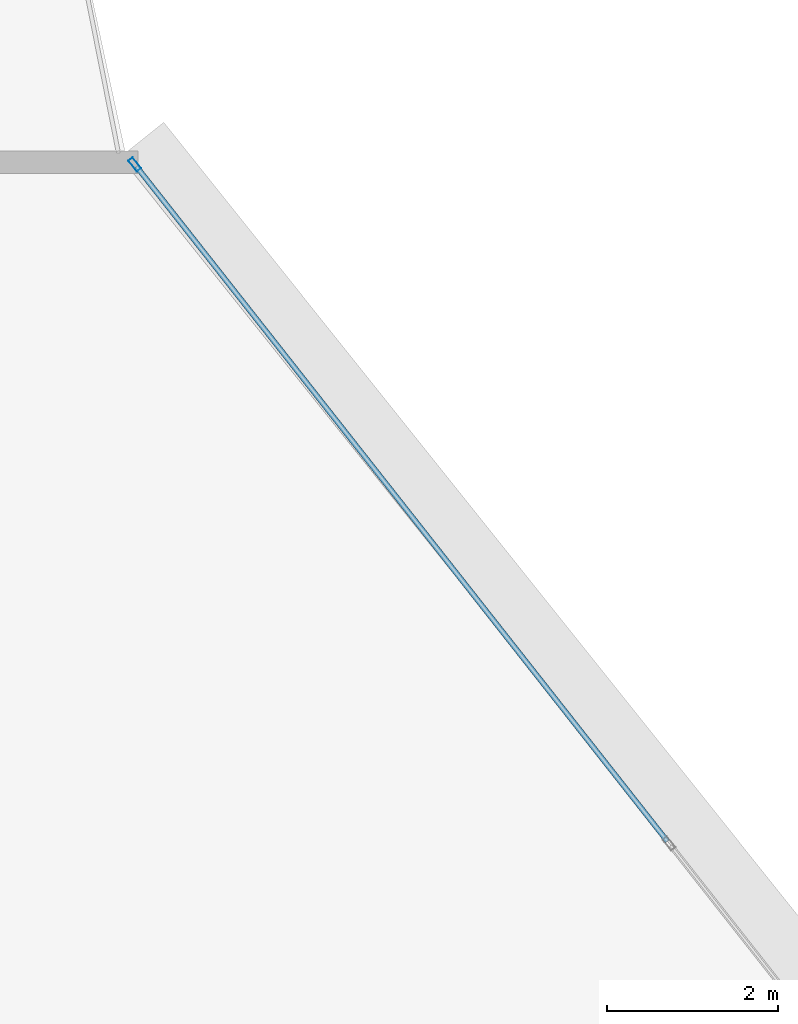
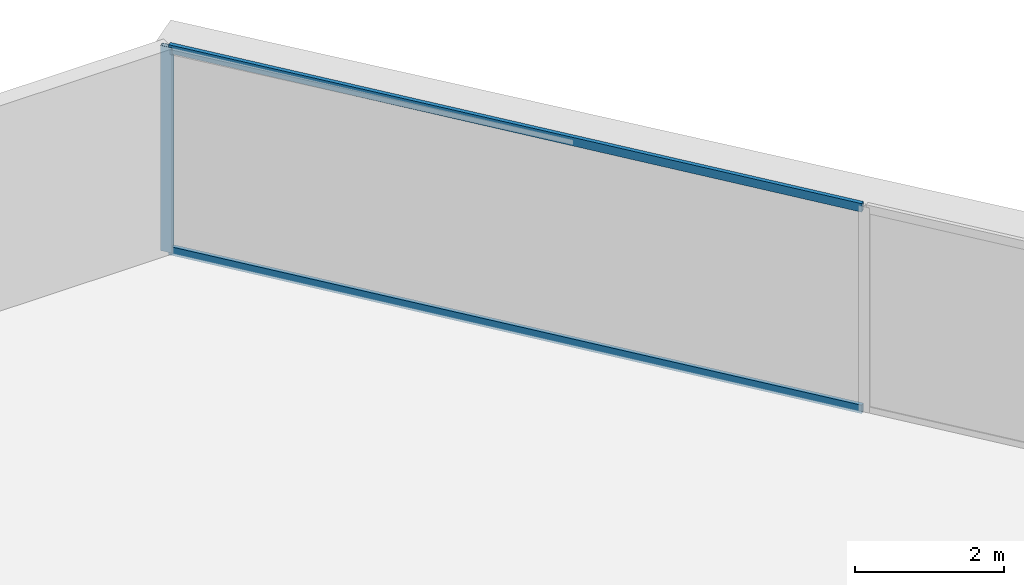
# One storey, part 29 of 42: 3 members, 1 element without a shape of its own.
"""IFC4 building model written with IfcOpenShell, lengths in metres."""

from ifc_helpers import new_model, si_unit, direction, frame, origin, origin_2d, place, context, subcontext, project, spatial, hollow_rectangle, extrude, source, transform, mapped, material, layer, layer_set, material_profile, profile_set, type_object, element, aggregate, save


model = new_model("IFC4")

# Units and contexts
model_context = context("Model", 3, precision=1e-05, world=origin(), true_north=direction((0.0, 1.0)))
body_context = subcontext(model_context, "Body", "Model", "MODEL_VIEW")
ifc_project = project(units=[si_unit("LENGTHUNIT", "METRE"), si_unit("AREAUNIT", "SQUARE_METRE"), si_unit("VOLUMEUNIT", "CUBIC_METRE"), si_unit("PLANEANGLEUNIT", "RADIAN"), si_unit("MASSUNIT", "GRAM", prefix="KILO"), si_unit("THERMODYNAMICTEMPERATUREUNIT", "KELVIN"), si_unit("POWERUNIT", "WATT")], contexts=[model_context])

# Site, building, storey
site_placement = place(None, origin())
site = spatial("IfcSite", under=ifc_project, at=site_placement, CompositionType="ELEMENT")
building_placement = place(site_placement, origin())
building = spatial("IfcBuilding", under=site, at=building_placement, Name="Yunzhuo Pagoda Commons", CompositionType="ELEMENT")
storey_placement = place(building_placement, frame((0.0, 0.0, 48.550048828125)))
storey = spatial("IfcBuildingStorey", under=building, at=storey_placement, Name="L12", CompositionType="ELEMENT", Elevation=48.550048828125)

# Curtain wall, members
ifc_material = material(Name="Anodized aluminium 6063-T6", Category="aluminium")
ifc_layer = layer(ifc_material, 0.1650390625)
ifc_layer_set = layer_set([ifc_layer], Name="Anodized aluminium 6063-T6")
curtain_wall_type = type_object("IfcCurtainWallType", Name="CW-LOW Low-Zone Ribbon Curtain Wall", PredefinedType="NOTDEFINED", material=ifc_layer_set)
curtain_wall_placement = place(storey_placement, origin())
curtain_wall = element("IfcCurtainWall", 1, at=curtain_wall_placement, inside=storey, type_object=curtain_wall_type, Name="L12 curtain wall CW-L12-F2B5", PredefinedType="NOTDEFINED")
ifc_material_profile_1 = material_profile(ifc_material, hollow_rectangle(XDim=0.06494140625, YDim=0.1650390625, WallThickness=0.00390625, at=origin_2d()), Name="Anodized aluminium 6063-T6")
ifc_profile_set_1 = profile_set([ifc_material_profile_1], Name="Anodized aluminium 6063-T6")
member_type_1 = type_object("IfcMemberType", Name="CW-LOW-M Mullion RHS 165x65x4", PredefinedType="MULLION", material=ifc_profile_set_1)
shared_shape_1 = source(origin(), body_context, "Body", "SweptSolid", [
    extrude(hollow_rectangle(XDim=0.06494140625, YDim=0.1650390625, WallThickness=0.00390625, at=origin_2d()), origin(), (0.0, 0.0, 1.0), 3.369873046875),
])
member_1_placement = place(storey_placement, frame((52.73828125, 88.5400390625, 0.0), z_axis=(0.0, 0.0, 1.0), x_axis=(-0.785883026265, -0.61837518468, 0.0)))
member_1 = element("IfcMember", 2, at=member_1_placement, type_object=member_type_1, Name="CW mullion 3", PredefinedType="MULLION", context=body_context, shape_type="MappedRepresentation", body=[
    mapped(shared_shape_1, transform((0.0, 0.0, 0.0), scale=1.0)),
])
ifc_material_profile_2 = material_profile(ifc_material, hollow_rectangle(XDim=0.06005859375, YDim=0.139892578125, WallThickness=0.00341796875, at=origin_2d()), Name="Anodized aluminium 6063-T6")
ifc_profile_set_2 = profile_set([ifc_material_profile_2], Name="Anodized aluminium 6063-T6")
member_type_2 = type_object("IfcMemberType", Name="CW-LOW-T Transom RHS 140x60x3.5", PredefinedType="USERDEFINED", material=ifc_profile_set_2)
shared_shape_2 = source(origin(), body_context, "Body", "SweptSolid", [
    extrude(hollow_rectangle(XDim=0.06005859375, YDim=0.139892578125, WallThickness=0.00341796875, at=origin_2d()), origin(), (0.0, 0.0, 1.0), 10.04248046875),
])
member_2_placement = place(storey_placement, frame((58.968505859375, 80.6220703125, 0.030029296875), z_axis=(-0.618365747767, 0.785890451646, 0.0), x_axis=(-0.785890451646, -0.618365747767, 0.0)))
member_2 = element("IfcMember", 3, at=member_2_placement, type_object=member_type_2, Name="CW transom 2.1", ObjectType="TRANSOM", PredefinedType="USERDEFINED", context=body_context, shape_type="MappedRepresentation", body=[
    mapped(shared_shape_2, transform((0.0, 0.0, 0.0), scale=1.0)),
])
member_3_placement = place(storey_placement, frame((58.968505859375, 80.6220703125, 3.33984375), z_axis=(-0.618365747767, 0.785890451646, 0.0), x_axis=(-0.785890451646, -0.618365747767, 0.0)))
member_3 = element("IfcMember", 4, at=member_3_placement, type_object=member_type_2, Name="CW transom 2.2", ObjectType="TRANSOM", PredefinedType="USERDEFINED", context=body_context, shape_type="MappedRepresentation", body=[
    mapped(shared_shape_2, transform((0.0, 0.0, 0.0), scale=1.0)),
])
aggregate(curtain_wall, [member_1, member_2, member_3])

save(model, "model.ifc")
